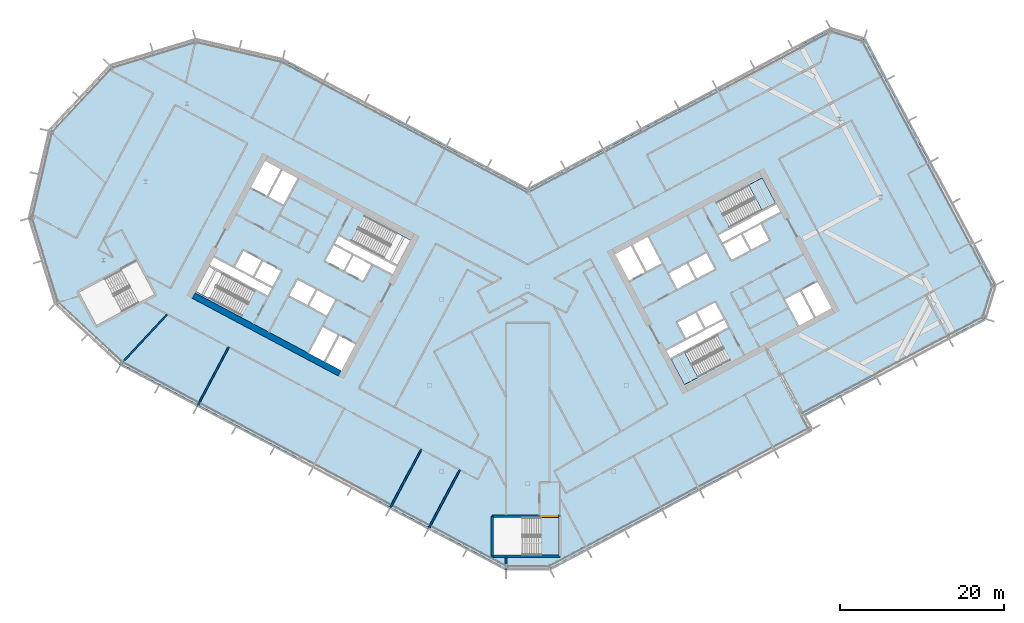
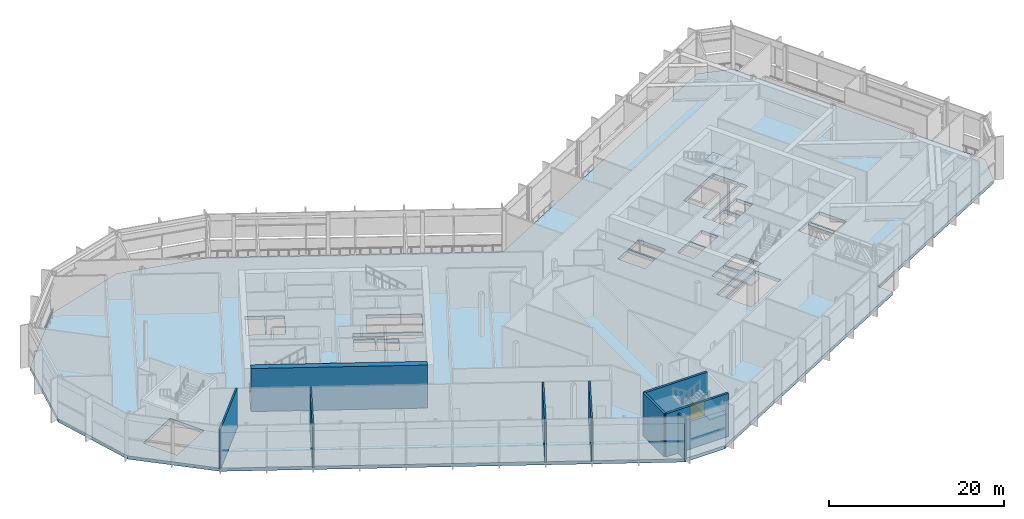
# One storey, part 12 of 33: 9 walls, 4 slabs, 1 door, 1 opening, 3 elements without a shape of their own.
"""IFC4 building model written with IfcOpenShell, lengths in metres."""

from ifc_helpers import new_model, si_unit, direction, frame, frame_2d, origin, place, context, subcontext, project, spatial, polyline, rectangle, outline, extrude, material, layer, layer_set, type_object, element, fill, aggregate, save


model = new_model("IFC4")

# Units and contexts
model_context = context("Model", 3, precision=1e-05, world=origin(), true_north=direction((0.0, 1.0)))
body_context = subcontext(model_context, "Body", "Model", "MODEL_VIEW")
ifc_project = project(units=[si_unit("LENGTHUNIT", "METRE"), si_unit("AREAUNIT", "SQUARE_METRE"), si_unit("VOLUMEUNIT", "CUBIC_METRE"), si_unit("PLANEANGLEUNIT", "RADIAN"), si_unit("MASSUNIT", "GRAM", prefix="KILO")], contexts=[model_context])

# Site, building, storey
site_placement = place(None, origin())
site = spatial("IfcSite", under=ifc_project, at=site_placement, CompositionType="ELEMENT")
building_placement = place(site_placement, origin())
building = spatial("IfcBuilding", under=site, at=building_placement, Name="Cormorant Relay Tower", CompositionType="ELEMENT")
storey_placement = place(building_placement, frame((0.0, 0.0, 183.60009765625)))
storey = spatial("IfcBuildingStorey", under=building, at=storey_placement, Name="L39", CompositionType="ELEMENT", Elevation=183.60009765625)

# Stair, slab
ifc_material_1 = material(Name="Concrete 40 MPa", Category="concrete")
stair_type_1 = type_object("IfcStairType", Name="Exit stair 1500", PredefinedType="HALF_TURN_STAIR", material=ifc_material_1)
stair_1_placement = place(storey_placement, origin())
stair_1 = element("IfcStair", 1, at=stair_1_placement, inside=storey, type_object=stair_type_1, Name="L39 Stair", PredefinedType="HALF_TURN_STAIR")
ifc_material_2 = material(Name="Concrete 40 MPa", Category="concrete")
ifc_layer_1 = layer(ifc_material_2, 0.199951171875)
ifc_layer_set_1 = layer_set([ifc_layer_1], Name="Exit stair landing 200")
slab_type_1 = type_object("IfcSlabType", Name="Exit stair landing 200", PredefinedType="LANDING", material=ifc_layer_set_1)
slab_1_placement = place(storey_placement, frame((0.0, 0.0, 2.7998046875)))
slab_1 = element("IfcSlab", 2, at=slab_1_placement, type_object=slab_type_1, Name="B1 landing 1", PredefinedType="LANDING", context=body_context, shape_type="SweptSolid", body=[
    extrude(outline(polyline([(19.131591796875, 4.0), (17.48046875, 3.1220703125), (19.10009765625, 0.075927734375), (20.751220703125, 0.953857421875), (19.131591796875, 4.0)])), origin(), (0.0, 0.0, 1.0), 0.2001953125),
])
aggregate(stair_1, [slab_1])

stair_2_placement = place(storey_placement, origin())
stair_2 = element("IfcStair", 3, at=stair_2_placement, inside=storey, type_object=stair_type_1, Name="L39 Stair", PredefinedType="HALF_TURN_STAIR")
slab_2_placement = place(storey_placement, frame((0.0, 0.0, 2.7998046875)))
slab_2 = element("IfcSlab", 4, at=slab_2_placement, type_object=slab_type_1, Name="B2 landing 1", PredefinedType="LANDING", context=body_context, shape_type="SweptSolid", body=[
    extrude(outline(polyline([(28.547607421875, 21.3515625), (30.19873046875, 22.2294921875), (28.5791015625, 25.275634765625), (26.927978515625, 24.397705078125), (28.547607421875, 21.3515625)])), origin(), (0.0, 0.0, 1.0), 0.2001953125),
])
aggregate(stair_2, [slab_2])

ifc_material_3 = material(Name="Concrete 40 MPa", Category="concrete")
stair_type_2 = type_object("IfcStairType", Name="Remote exit stair 2200", PredefinedType="HALF_TURN_STAIR", material=ifc_material_3)
stair_3_placement = place(storey_placement, origin())
stair_3 = element("IfcStair", 5, at=stair_3_placement, inside=storey, type_object=stair_type_2, Name="L39 Stair", PredefinedType="HALF_TURN_STAIR")
slab_3_placement = place(storey_placement, frame((0.0, 0.0, 2.7998046875)))
slab_3 = element("IfcSlab", 6, at=slab_3_placement, type_object=slab_type_1, Name="RK1 landing 2", PredefinedType="LANDING", context=body_context, shape_type="SweptSolid", body=[
    extrude(outline(polyline([(3.800048828125, -16.125), (1.60009765625, -16.125), (1.60009765625, -20.675048828125), (3.800048828125, -20.675048828125), (3.800048828125, -16.125)])), origin(), (0.0, 0.0, 1.0), 0.2001953125),
])
aggregate(stair_3, [slab_3])

# Slab
ifc_material_4 = material(Name="Concrete 40 MPa", Category="concrete")
ifc_layer_2 = layer(ifc_material_4, 0.449951171875)
ifc_layer_set_2 = layer_set([ifc_layer_2], Name="Flat plate 450")
slab_type_2 = type_object("IfcSlabType", Name="Flat plate 450", PredefinedType="FLOOR", material=ifc_layer_set_2)
slab_4_placement = place(storey_placement, frame((0.0, 0.0, -0.4501953125)))
element("IfcSlab", 7, at=slab_4_placement, inside=storey, type_object=slab_type_2, Name="Floor slab L39", PredefinedType="FLOOR", context=body_context, shape_type="SweptSolid", body=[
    extrude(outline(polyline([(-57.541748046875, 9.997802734375), (-60.7197265625, 20.393310546875), (-58.2744140625, 30.985107421875), (-50.86083984375, 38.935302734375), (-40.465576171875, 42.11328125), (-29.873779296875, 39.668212890625), (0.0, 23.783935546875), (36.937255859375, 43.423828125), (40.99462890625, 42.18359375), (56.95654296875, 12.1630859375), (55.71630859375, 8.10595703125), (33.642578125, -3.630859375), (34.581298828125, -5.396728515625), (2.648681640625, -22.37548828125), (-2.648681640625, -22.37548828125), (-49.591552734375, 2.584228515625), (-57.541748046875, 9.997802734375)]), holes=[polyline([(-22.95458984375, 6.03271484375), (-24.668212890625, 2.81005859375), (-22.725830078125, 1.777099609375), (-21.01220703125, 5.0), (-23.04296875, 6.07958984375), (-22.95458984375, 6.03271484375)]), polyline([(-24.985595703125, 7.112548828125), (-26.69921875, 3.889892578125), (-24.844970703125, 2.90380859375), (-23.13134765625, 6.126708984375), (-23.04296875, 6.07958984375), (-24.985595703125, 7.112548828125)]), polyline([(-26.688720703125, 9.660400390625), (-24.481201171875, 8.48681640625), (-23.448486328125, 10.42919921875), (-25.656005859375, 11.602783203125), (-26.688720703125, 9.660400390625)]), polyline([(-49.57861328125, 14.0537109375), (-54.69970703125, 11.330810546875), (-52.563720703125, 7.3134765625), (-47.442626953125, 10.036376953125), (-49.57861328125, 14.0537109375)]), polyline([(-28.039794921875, 12.870361328125), (-29.07275390625, 10.927978515625), (-26.865234375, 9.75439453125), (-25.83251953125, 11.69677734375), (-28.039794921875, 12.870361328125)]), polyline([(-33.240966796875, 11.502197265625), (-38.847900390625, 14.483154296875), (-40.46728515625, 11.43701171875), (-34.860595703125, 8.455810546875), (-33.240966796875, 11.502197265625)]), polyline([(-38.260986328125, 15.5869140625), (-38.75390625, 14.659912109375), (-31.690185546875, 10.904052734375), (-31.197265625, 11.8310546875), (-38.260986328125, 15.5869140625)]), polyline([(-33.310791015625, 13.181396484375), (-31.103515625, 12.0078125), (-30.070556640625, 13.9501953125), (-32.278076171875, 15.123779296875), (-33.310791015625, 13.181396484375)]), polyline([(-19.048095703125, 14.658203125), (-21.25537109375, 15.831787109375), (-22.2880859375, 13.889404296875), (-20.080810546875, 12.7158203125), (-19.048095703125, 14.658203125)]), polyline([(-34.661865234375, 16.3916015625), (-35.69482421875, 14.448974609375), (-33.4873046875, 13.275390625), (-32.45458984375, 15.2177734375), (-34.661865234375, 16.3916015625)]), polyline([(-21.431884765625, 15.92578125), (-23.639404296875, 17.099609375), (-24.672119140625, 15.156982421875), (-22.46484375, 13.9833984375), (-21.431884765625, 15.92578125)]), polyline([(-16.481689453125, 13.520263671875), (-15.989013671875, 14.447509765625), (-23.052490234375, 18.203125), (-23.54541015625, 17.276123046875), (-16.481689453125, 13.520263671875)]), polyline([(-21.501708984375, 17.605224609375), (-15.89501953125, 14.6240234375), (-14.275390625, 17.670166015625), (-19.882080078125, 20.6513671875), (-21.501708984375, 17.605224609375)]), polyline([(-31.611572265625, 22.980712890625), (-29.75732421875, 21.99462890625), (-28.043701171875, 25.217529296875), (-29.89794921875, 26.203369140625), (-31.611572265625, 22.980712890625)]), polyline([(-32.01708984375, 27.330078125), (-33.73046875, 24.107421875), (-31.7880859375, 23.074462890625), (-30.074462890625, 26.29736328125), (-32.01708984375, 27.330078125)]), polyline([(-4.199951171875, -16.125), (-4.199951171875, -20.675048828125), (1.60009765625, -20.675048828125), (1.60009765625, -16.125), (-4.199951171875, -16.125)]), polyline([(23.087158203125, 6.10302734375), (17.48046875, 3.1220703125), (19.10009765625, 0.07568359375), (24.706787109375, 3.056884765625), (23.087158203125, 6.10302734375)]), polyline([(16.8935546875, 4.2255859375), (17.386474609375, 3.298583984375), (24.4501953125, 7.054443359375), (23.957275390625, 7.9814453125), (16.8935546875, 4.2255859375)]), polyline([(19.27197265625, 5.716796875), (21.479248046875, 6.890380859375), (20.446533203125, 8.8330078125), (18.239013671875, 7.6591796875), (19.27197265625, 5.716796875)]), polyline([(21.656005859375, 6.984375), (23.86328125, 8.158203125), (22.830322265625, 10.1005859375), (20.623046875, 8.927001953125), (21.656005859375, 6.984375)]), polyline([(33.197021484375, 11.478515625), (31.3427734375, 10.49267578125), (33.056396484375, 7.27001953125), (34.910400390625, 8.255859375), (33.197021484375, 11.478515625)]), polyline([(33.37353515625, 11.572509765625), (35.087158203125, 8.349609375), (37.029541015625, 9.382568359375), (35.31591796875, 12.605224609375), (33.37353515625, 11.572509765625)]), polyline([(19.401123046875, 14.84619140625), (17.19384765625, 13.67236328125), (18.2265625, 11.72998046875), (20.43408203125, 12.903564453125), (19.401123046875, 14.84619140625)]), polyline([(22.81787109375, 14.171142578125), (21.78515625, 16.113525390625), (19.57763671875, 14.93994140625), (20.610595703125, 12.99755859375), (22.81787109375, 14.171142578125)]), polyline([(14.3056640625, 13.779052734375), (12.592041015625, 17.001708984375), (10.649658203125, 15.968994140625), (12.36328125, 12.74609375), (14.39404296875, 13.825927734375), (14.3056640625, 13.779052734375)]), polyline([(16.33642578125, 14.85888671875), (14.622802734375, 18.08154296875), (12.768798828125, 17.095703125), (14.482421875, 13.872802734375), (14.39404296875, 13.825927734375), (16.33642578125, 14.85888671875)]), polyline([(26.023193359375, 18.3671875), (23.81591796875, 17.193359375), (24.8486328125, 15.2509765625), (27.05615234375, 16.424560546875), (26.023193359375, 18.3671875)]), polyline([(29.440185546875, 17.692138671875), (28.4072265625, 19.634765625), (26.19970703125, 18.4609375), (27.232666015625, 16.5185546875), (29.440185546875, 17.692138671875)]), polyline([(30.78564453125, 21.125732421875), (30.29248046875, 22.052978515625), (23.22900390625, 18.297119140625), (23.721923828125, 17.3701171875), (30.78564453125, 21.125732421875)]), polyline([(24.592041015625, 19.248291015625), (30.19873046875, 22.2294921875), (28.5791015625, 25.275634765625), (22.972412109375, 22.29443359375), (24.592041015625, 19.248291015625)])]), origin(), (0.0, 0.0, 1.0), 0.4501953125),
])

# Walls
ifc_material_5 = material(Name="Concrete 60 MPa", Category="concrete")
ifc_layer_3 = layer(ifc_material_5, 0.75)
ifc_layer_set_3 = layer_set([ifc_layer_3], Name="Core wall 750")
wall_type_1 = type_object("IfcWallType", Name="Core wall 750", PredefinedType="SHEAR", material=ifc_layer_set_3)
wall_1_placement = place(storey_placement, frame((-22.90185546875, 1.446044921875, 0.0), z_axis=(0.0, 0.0, 1.0), x_axis=(-0.88294509198, 0.469476266226, 0.0)))
element("IfcWall", 8, at=wall_1_placement, inside=storey, type_object=wall_type_1, Name="L39 core A wall", PredefinedType="SHEAR", context=body_context, shape_type="SweptSolid", body=[
    extrude(rectangle(XDim=20.199951171875, YDim=0.75, at=frame_2d((10.10009765625, 0.0))), origin(), (0.0, 0.0, 1.0), 6.0),
])
ifc_material_6 = material(Name="Fire-rated gypsum board partition")
ifc_layer_4 = layer(ifc_material_6, 0.199951171875)
ifc_layer_set_4 = layer_set([ifc_layer_4], Name="Fire-rated gypsum partition 200")
wall_type_2 = type_object("IfcWallType", Name="Fire-rated gypsum partition 200", PredefinedType="PARTITIONING", material=ifc_layer_set_4)
wall_2_placement = place(storey_placement, frame((-43.943115234375, 8.64208984375, 0.0), z_axis=(0.0, 0.0, 1.0), x_axis=(-0.681987228604, -0.731364081714, 0.0)))
element("IfcWall", 9, at=wall_2_placement, inside=storey, type_object=wall_type_2, Name="wall/L39/part/6", PredefinedType="PARTITIONING", context=body_context, shape_type="SweptSolid", body=[
    extrude(rectangle(XDim=8.489501953125, YDim=0.199951171875, at=frame_2d((4.24462890625, 0.0))), origin(), (0.0, 0.0, 1.0), 5.5498046875),
])
for number, where, z_axis, x_axis, name in (
    (10, (-36.447021484375, 4.656005859375, 0.0), (0.0, 0.0, 1.0), (-0.4695216236, -0.882920973231, 0.0), "wall/L39/part/7"),
    (11, (-12.97607421875, -7.823974609375, 0.0), (0.0, 0.0, 1.0), (-0.469498413518, -0.882933315548, 0.0), "wall/L39/part/21"),
):
    element("IfcWall", number, at=place(storey_placement, frame(where, z_axis=z_axis, x_axis=x_axis)), inside=storey, type_object=wall_type_2, Name=name, PredefinedType="PARTITIONING", context=body_context, shape_type="SweptSolid", body=[
        extrude(rectangle(XDim=8.199951171875, YDim=0.199951171875, at=frame_2d((4.10009765625, 0.0))), origin(), (0.0, 0.0, 1.0), 5.5498046875),
    ])
wall_3_placement = place(storey_placement, frame((-8.281982421875, -10.320068359375, 0.0), z_axis=(0.0, 0.0, 1.0), x_axis=(-0.469428777431, -0.882970340906, 0.0)))
element("IfcWall", 12, at=wall_3_placement, inside=storey, type_object=wall_type_2, Name="wall/L39/part/23", PredefinedType="PARTITIONING", context=body_context, shape_type="SweptSolid", body=[
    extrude(rectangle(XDim=8.199462890625, YDim=0.199951171875, at=frame_2d((4.099609375, 0.0))), origin(), (0.0, 0.0, 1.0), 5.5498046875),
])
wall_4_placement = place(storey_placement, frame((-2.64892578125, -20.9599609375, 0.0), z_axis=(0.0, 0.0, 1.0), x_axis=(0.0, -1.0, 0.0)))
element("IfcWall", 13, at=wall_4_placement, inside=storey, type_object=wall_type_2, Name="wall/L39/part/44", PredefinedType="PARTITIONING", context=body_context, shape_type="SweptSolid", body=[
    extrude(rectangle(XDim=1.6220703125, YDim=0.199951171875, at=frame_2d((0.81103515625, 0.0))), origin(), (0.0, 0.0, 1.0), 5.5498046875),
])
ifc_material_7 = material(Name="Concrete 50 MPa", Category="concrete")
ifc_layer_5 = layer(ifc_material_7, 0.300048828125)
ifc_layer_set_5 = layer_set([ifc_layer_5], Name="Remote stair wall 300")
wall_type_3 = type_object("IfcWallType", Name="Remote stair wall 300", PredefinedType="SHEAR", material=ifc_layer_set_5)
wall_5_placement = place(storey_placement, frame((3.949951171875, -20.824951171875, 0.0), z_axis=(0.0, 0.0, 1.0), x_axis=(-1.0, 0.0, 0.0)))
element("IfcWall", 14, at=wall_5_placement, inside=storey, type_object=wall_type_3, Name="L39 exit stair RK1 wall", PredefinedType="SHEAR", context=body_context, shape_type="SweptSolid", body=[
    extrude(rectangle(XDim=8.300048828125, YDim=0.300048828125, at=frame_2d((4.14990234375, 0.0))), origin(), (0.0, 0.0, 1.0), 6.0),
])
wall_6_placement = place(storey_placement, frame((-4.35009765625, -20.824951171875, 0.0), z_axis=(0.0, 0.0, 1.0), x_axis=(0.0, 1.0, 0.0)))
element("IfcWall", 15, at=wall_6_placement, inside=storey, type_object=wall_type_3, Name="L39 exit stair RK1 wall", PredefinedType="SHEAR", context=body_context, shape_type="SweptSolid", body=[
    extrude(rectangle(XDim=4.849853515625, YDim=0.300048828125, at=frame_2d((2.4248046875, 0.0))), origin(), (0.0, 0.0, 1.0), 6.0),
])

# Wall, opening, door
wall_7_placement = place(storey_placement, frame((-4.35009765625, -15.97509765625, 0.0), z_axis=(0.0, 0.0, 1.0), x_axis=(1.0, 0.0, 0.0)))
wall_7 = element("IfcWall", 16, at=wall_7_placement, inside=storey, type_object=wall_type_3, Name="L39 exit stair RK1 wall", PredefinedType="SHEAR", context=body_context, shape_type="SweptSolid", body=[
    extrude(rectangle(XDim=8.300048828125, YDim=0.300048828125, at=frame_2d((4.14990234375, 0.0))), origin(), (0.0, 0.0, 1.0), 6.0),
])
opening_placement = place(wall_7_placement, frame((6.050048828125, 0.0, 0.0)))
opening = element("IfcOpeningElement", 17, at=opening_placement, cuts=wall_7, Name="Opening CDE-010", PredefinedType="OPENING", context=body_context, shape_type="SweptSolid", body=[
    extrude(rectangle(XDim=1.89990234375, YDim=2.10009765625, at=frame_2d((0.949951171875, 1.050048828125))), frame((0.0, 0.159912109375, 0.0), z_axis=(0.0, -1.0, 0.0), x_axis=(1.0, 0.0, 0.0)), (0.0, 0.0, 1.0), 0.320068359375),
])
ifc_material_8 = material(Name="Steel fire door", Category="steel")
door_type = type_object("IfcDoorType", Name="Remote stair door 1900x2100", OperationType="DOUBLE_DOOR_SINGLE_SWING", PredefinedType="DOOR", material=ifc_material_8)
door_placement = place(opening_placement, frame((1.89990234375, 0.0, 0.0), z_axis=(0.0, 0.0, 1.0), x_axis=(-1.0, 0.0, 0.0)))
door = element("IfcDoor", 18, at=door_placement, inside=storey, type_object=door_type, Name="Exit stair RK1 door", OperationType="DOUBLE_DOOR_SINGLE_SWING", OverallHeight=2.10009765625, OverallWidth=1.89990234375, PredefinedType="DOOR", context=body_context, shape_type="SweptSolid", body=[
    extrude(rectangle(XDim=1.89990234375, YDim=2.10009765625, at=frame_2d((0.949951171875, 1.050048828125))), frame((0.0, 0.02490234375, 0.0), z_axis=(0.0, -1.0, 0.0), x_axis=(1.0, 0.0, 0.0)), (0.0, 0.0, 1.0), 0.050048828125),
])
fill(opening, door)

save(model, "model.ifc")
